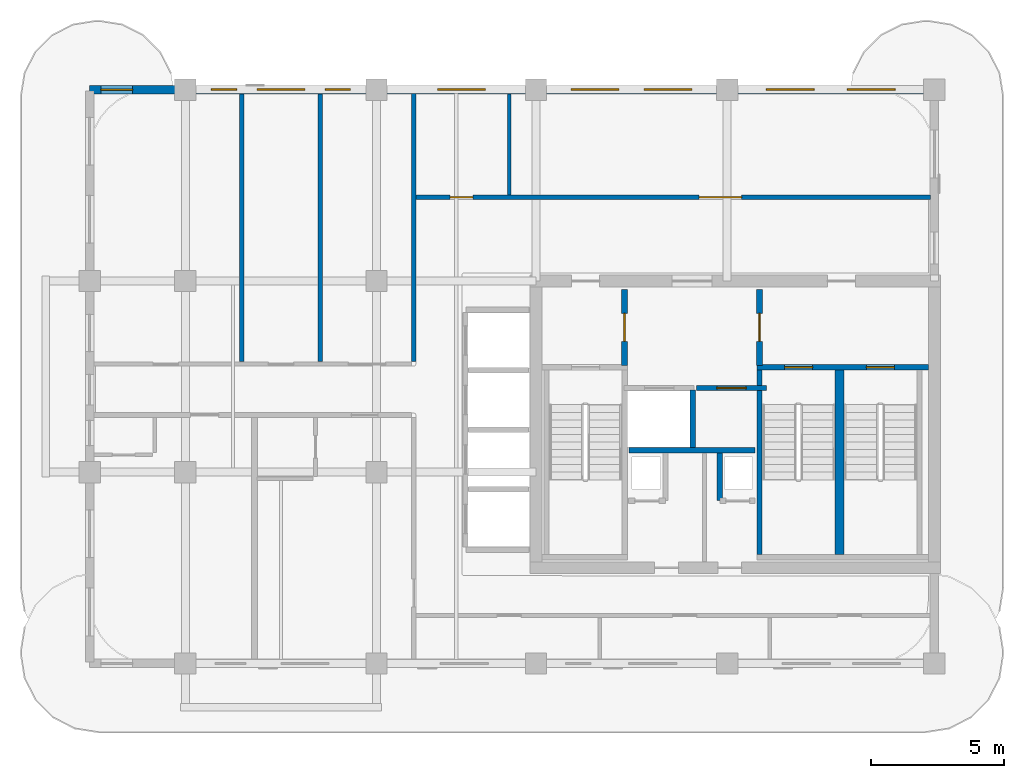
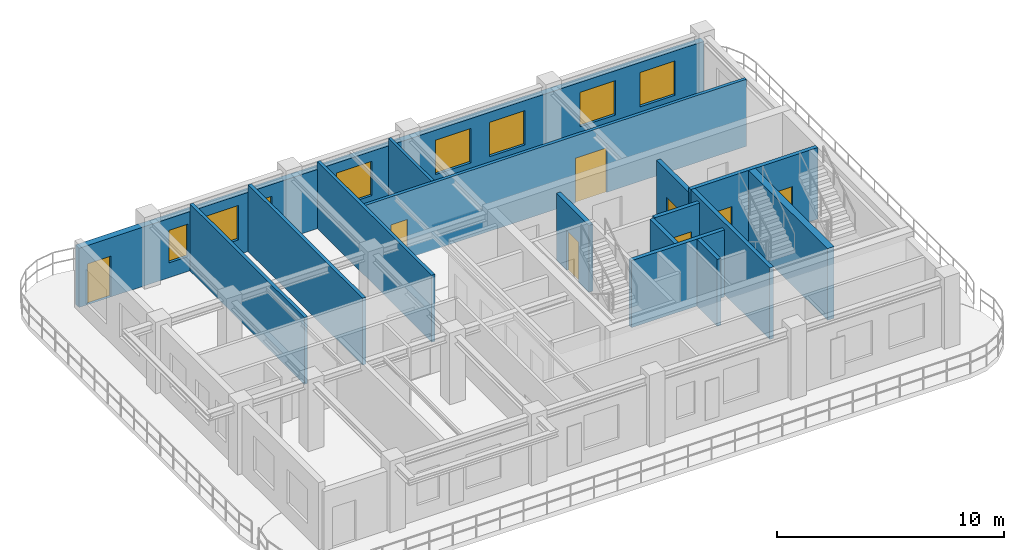
# One storey, part 4 of 7: 15 walls, 8 doors, 8 windows, 16 openings.
"""IFC4 building model written with IfcOpenShell, lengths in metres."""

import ifcopenshell
import ifcopenshell.guid

model = None  # the IFC model being written
_history = None  # IfcOwnerHistory: only IFC2X3 demands one
_inside = {}  # id of a spatial element -> (the spatial element, [elements in it])
_under = {}  # id of a project, library or spatial element -> (it, [spatial elements below it])
_declared = {}  # id of a project -> (the project, [libraries it declares])
_typed = {}  # id of a type object -> (the type object, [elements of that type])
_made_of = {}  # id of a material, layer set ... -> (it, [elements and type objects made of it])


def new_model(schema):
    """Start an empty IFC model of exactly this schema.

    Asked for "IFC4X3", IfcOpenShell would pick the latest addendum, in which some entities
    have other attributes; the version numbers below select the first issue.
    IFC2X3 requires an IfcOwnerHistory on every rooted entity: one is made here for all.
    """
    global model, _history
    if schema == "IFC4X3":
        model = ifcopenshell.file(schema_version=(4, 3, 0, 0))
    else:
        model = ifcopenshell.file(schema=schema)
    _inside.clear()
    _under.clear()
    _declared.clear()
    _typed.clear()
    _made_of.clear()
    _history = None
    if model.schema == "IFC2X3":
        org = make("IfcOrganization", Name="unknown")
        user = make(
            "IfcPersonAndOrganization",
            ThePerson=make("IfcPerson", FamilyName="unknown"),
            TheOrganization=org,
        )
        app = make(
            "IfcApplication",
            ApplicationDeveloper=org,
            Version="unknown",
            ApplicationFullName="unknown",
            ApplicationIdentifier="unknown",
        )
        _history = make(
            "IfcOwnerHistory",
            OwningUser=user,
            OwningApplication=app,
            ChangeAction="ADDED",
            CreationDate=0,
        )
    return model


def make(cls, **values):
    """One entity of the class cls with the attributes given. An attribute that is None is left unset."""
    return model.create_entity(
        cls, **{name: value for name, value in values.items() if value is not None}
    )


def rooted(cls, **values):
    """An entity with a GlobalId (a new one), such as an element, a storey or a relation."""
    return make(cls, GlobalId=ifcopenshell.guid.new(), OwnerHistory=_history, **values)


def si_unit(unit_type, name, prefix=None):
    """IfcSIUnit, for example si_unit("LENGTHUNIT", "METRE", prefix="MILLI")."""
    return make("IfcSIUnit", UnitType=unit_type, Prefix=prefix, Name=name)


def derived_unit(unit_type, elements):
    """IfcDerivedUnit: a product of units, each with its exponent."""
    return make(
        "IfcDerivedUnit",
        Elements=[
            make("IfcDerivedUnitElement", Unit=unit, Exponent=power)
            for unit, power in elements
        ],
        UnitType=unit_type,
    )


def assignment(units):
    """IfcUnitAssignment: the units of a project."""
    return None if units is None else make("IfcUnitAssignment", Units=units)


def point(xyz):
    """IfcCartesianPoint."""
    return None if xyz is None else make("IfcCartesianPoint", Coordinates=xyz)


def direction(xyz):
    """IfcDirection."""
    return None if xyz is None else make("IfcDirection", DirectionRatios=xyz)


def frame(location, z_axis=None, x_axis=None):
    """IfcAxis2Placement3D, a coordinate frame: its origin and axes. An axis left out is left unset."""
    return make(
        "IfcAxis2Placement3D",
        Location=point(location),
        Axis=direction(z_axis),
        RefDirection=direction(x_axis),
    )


def frame_2d(location, x_axis=None):
    """IfcAxis2Placement2D, a coordinate frame in the plane: its origin and x axis."""
    return make(
        "IfcAxis2Placement2D", Location=point(location), RefDirection=direction(x_axis)
    )


def origin():
    """The frame at (0, 0, 0) with its axes left unset."""
    return frame((0.0, 0.0, 0.0))


def place(relative_to, where):
    """IfcLocalPlacement: puts the frame where relative to a parent placement (None: the world)."""
    return make(
        "IfcLocalPlacement", PlacementRelTo=relative_to, RelativePlacement=where
    )


def context(
    kind, dimensions, precision=None, world=None, true_north=None, identifier=None
):
    """IfcGeometricRepresentationContext, for example the 3D "Model" context."""
    return make(
        "IfcGeometricRepresentationContext",
        ContextIdentifier=identifier,
        ContextType=kind,
        CoordinateSpaceDimension=dimensions,
        Precision=precision,
        WorldCoordinateSystem=world,
        TrueNorth=true_north,
    )


def subcontext(parent, identifier, kind, view, scale=None):
    """IfcGeometricRepresentationSubContext, for example "Body" below "Model"."""
    return make(
        "IfcGeometricRepresentationSubContext",
        ContextIdentifier=identifier,
        ContextType=kind,
        ParentContext=parent,
        TargetScale=scale,
        TargetView=view,
    )


def project(units=None, contexts=None):
    """IfcProject with its units and contexts."""
    return rooted(
        "IfcProject",
        Name="project",
        RepresentationContexts=contexts,
        UnitsInContext=assignment(units),
    )


def spatial(cls, under=None, at=None, **own):
    """A site, building, storey or space (cls), placed at a placement, below another one or the project."""
    s = rooted(cls, ObjectPlacement=at, **own)
    if under is not None:
        _under.setdefault(under.id(), (under, []))[1].append(s)
    return s


def profile(cls, at=None, kind="AREA", **sizes):
    """A parametric profile (cls). Its sizes go by their IFC names, for example OverallWidth=200.0."""
    return make(cls, ProfileType=kind, Position=at, **sizes)


def rectangle(**sizes):
    """IfcRectangleProfileDef."""
    return profile("IfcRectangleProfileDef", **sizes)


def extrude(swept, where, along, depth):
    """IfcExtrudedAreaSolid: the profile swept, set in the frame where, extruded along a direction by depth."""
    return make(
        "IfcExtrudedAreaSolid",
        SweptArea=swept,
        Position=where,
        ExtrudedDirection=direction(along),
        Depth=depth,
    )


def shape(context_of_items, identifier, shape_type, items):
    """IfcShapeRepresentation: the items that make up one representation, for example the "Body"."""
    return make(
        "IfcShapeRepresentation",
        ContextOfItems=context_of_items,
        RepresentationIdentifier=identifier,
        RepresentationType=shape_type,
        Items=items,
    )


def source(mapping_origin, context_of_items, identifier, shape_type, items):
    """IfcRepresentationMap: a shape defined once, which mapped items show again and again."""
    return make(
        "IfcRepresentationMap",
        MappingOrigin=mapping_origin,
        MappedRepresentation=shape(context_of_items, identifier, shape_type, items),
    )


def transform(
    local_origin,
    x_axis=None,
    y_axis=None,
    z_axis=None,
    scale=None,
    scale2=None,
    scale3=None,
    uniform=True,
):
    """IfcCartesianTransformationOperator3D, or its non-uniform kind. x_axis, y_axis, z_axis: its Axis1, 2, 3."""
    if uniform:
        return make(
            "IfcCartesianTransformationOperator3D",
            Axis1=direction(x_axis),
            Axis2=direction(y_axis),
            LocalOrigin=point(local_origin),
            Scale=scale,
            Axis3=direction(z_axis),
        )
    return make(
        "IfcCartesianTransformationOperator3DnonUniform",
        Axis1=direction(x_axis),
        Axis2=direction(y_axis),
        LocalOrigin=point(local_origin),
        Scale=scale,
        Axis3=direction(z_axis),
        Scale2=scale2,
        Scale3=scale3,
    )


def mapped(mapping_source, mapping_target):
    """IfcMappedItem: shows the shape of a source again, moved by a transform."""
    return make(
        "IfcMappedItem", MappingSource=mapping_source, MappingTarget=mapping_target
    )


def material(Name=None, Category=None):
    """IfcMaterial."""
    return make("IfcMaterial", Name=Name, Category=Category)


def layer(
    of_material, thickness, ventilated=None, Name=None, Category=None, Priority=None
):
    """IfcMaterialLayer: one layer of a wall or slab, of a material (None: an air gap)."""
    return make(
        "IfcMaterialLayer",
        Material=of_material,
        LayerThickness=thickness,
        IsVentilated=ventilated,
        Name=Name,
        Category=Category,
        Priority=Priority,
    )


def layer_set(layers, Name=None):
    """IfcMaterialLayerSet."""
    return make("IfcMaterialLayerSet", MaterialLayers=layers, LayerSetName=Name)


def made_of(thing, what):
    """Note that an element or type object is made of a material, layer set ...; save() writes the relation."""
    if what is not None:
        _made_of.setdefault(what.id(), (what, []))[1].append(thing)
    return thing


def type_object(cls, material=None, **own):
    """A type object (cls), such as IfcWallType, which elements share."""
    return made_of(rooted(cls, **own), material)


def type_shapes(of_type, sources):
    """Give a type object the sources (RepresentationMaps) that its elements show as mapped items."""
    of_type.RepresentationMaps = sources


def element(
    cls,
    number,
    at=None,
    inside=None,
    cuts=None,
    type_object=None,
    material=None,
    context=None,
    identifier="Body",
    shape_type=None,
    held_by="IfcProductDefinitionShape",
    body=None,
    shapes=None,
    **own,
):
    """One element of the class cls, such as IfcWall. Its Tag is "e" and its number.

    at: its placement. inside: the storey or other place that contains it. cuts: it is an
    opening in that element (IfcRelVoidsElement). A single representation is given by context,
    identifier, shape_type and body (its items); several are given by shapes. held_by: the class
    of the entity that holds the representations. save() writes the other relations.
    """
    e = rooted(cls, Tag="e%d" % number, ObjectPlacement=at, **own)
    if body is not None:
        shapes = [shape(context, identifier, shape_type, body)]
    if shapes is not None:
        e.Representation = make(held_by, Representations=shapes)
    if inside is not None:
        _inside.setdefault(inside.id(), (inside, []))[1].append(e)
    if cuts is not None:
        rooted(
            "IfcRelVoidsElement", RelatingBuildingElement=cuts, RelatedOpeningElement=e
        )
    if type_object is not None:
        _typed.setdefault(type_object.id(), (type_object, []))[1].append(e)
    return made_of(e, material)


def fill(opening, filler):
    """IfcRelFillsElement: the door or window that sits in an opening."""
    return rooted(
        "IfcRelFillsElement",
        RelatingOpeningElement=opening,
        RelatedBuildingElement=filler,
    )


def aggregate(whole, parts):
    """IfcRelAggregates: a whole, such as a stair, and the parts it consists of."""
    return rooted("IfcRelAggregates", RelatingObject=whole, RelatedObjects=parts)


def save(model, path):
    """Write the relations noted so far, then the file.

    IfcRelAggregates (storeys below a building ...), IfcRelContainedInSpatialStructure (elements
    in a storey), IfcRelDefinesByType, IfcRelAssociatesMaterial and IfcRelDeclares: one each for
    every whole, place, type object, material and project.
    """
    for whole, parts in _under.values():
        aggregate(whole, parts)
    for where, things in _inside.values():
        rooted(
            "IfcRelContainedInSpatialStructure",
            RelatedElements=things,
            RelatingStructure=where,
        )
    for kind, things in _typed.values():
        rooted("IfcRelDefinesByType", RelatedObjects=things, RelatingType=kind)
    for what, things in _made_of.values():
        rooted("IfcRelAssociatesMaterial", RelatedObjects=things, RelatingMaterial=what)
    for by, libraries in _declared.values():
        rooted("IfcRelDeclares", RelatingContext=by, RelatedDefinitions=libraries)
    model.write(path)


model = new_model("IFC4")

# Units and contexts
model_context = context("Model", 3, precision=1e-05, world=origin(), true_north=direction((0.0, 1.0)))
body_context = subcontext(model_context, "Body", "Model", "MODEL_VIEW")
ifc_project = project(units=[si_unit("LENGTHUNIT", "METRE"), si_unit("AREAUNIT", "SQUARE_METRE"), si_unit("VOLUMEUNIT", "CUBIC_METRE"), si_unit("PLANEANGLEUNIT", "RADIAN"), si_unit("MASSUNIT", "GRAM", prefix="KILO"), si_unit("THERMODYNAMICTEMPERATUREUNIT", "KELVIN"), si_unit("POWERUNIT", "WATT"), derived_unit("THERMALTRANSMITTANCEUNIT", [(si_unit("POWERUNIT", "WATT"), 1), (si_unit("AREAUNIT", "SQUARE_METRE"), -1), (si_unit("THERMODYNAMICTEMPERATUREUNIT", "KELVIN"), -1)])], contexts=[model_context])

# Site, building, storey
site_placement = place(None, origin())
site = spatial("IfcSite", under=ifc_project, at=site_placement, CompositionType="ELEMENT")
building_placement = place(site_placement, origin())
building = spatial("IfcBuilding", under=site, at=building_placement, Name="Zahravan Archway Hotel and Residences", CompositionType="ELEMENT")
storey_placement = place(building_placement, frame((0.0, 0.0, 271.199951171875)))
storey = spatial("IfcBuildingStorey", under=building, at=storey_placement, Name="L68", CompositionType="ELEMENT", Elevation=271.199951171875)

# Wall, openings, door, windows
ifc_material_1 = material(Name="Agra Buff Sandstone & Insulated Backup", Category="masonry")
ifc_layer_1 = layer(ifc_material_1, 0.320068359375, Name="Agra Buff Sandstone & Insulated Backup", Category="masonry")
ifc_layer_set_1 = layer_set([ifc_layer_1], Name="Agra Buff Sandstone & Insulated Backup")
wall_type_1 = type_object("IfcWallType", Name="EW-SAND-320", PredefinedType="SOLIDWALL", material=ifc_layer_set_1)
wall_1_placement = place(storey_placement, frame((18.0, 21.60009765625, 0.0), z_axis=(0.0, 0.0, 1.0), x_axis=(1.0, 0.0, 0.0)))
wall_1 = element("IfcWall", 1, at=wall_1_placement, inside=storey, type_object=wall_type_1, Name="L68 Exterior Sandstone Wall WA-N", PredefinedType="SOLIDWALL", context=body_context, shape_type="SweptSolid", body=[
    extrude(rectangle(XDim=31.800048828125, YDim=0.320068359375, at=frame_2d((15.89990234375, 0.0))), origin(), (0.0, 0.0, 1.0), 3.18505859375),
])
opening_1_placement = place(wall_1_placement, frame((0.419921875, 0.0, 0.0)))
opening_1 = element("IfcOpeningElement", 2, at=opening_1_placement, cuts=wall_1, Name="Opening ED-BL1", PredefinedType="OPENING", context=body_context, shape_type="SweptSolid", body=[
    extrude(rectangle(XDim=1.199951171875, YDim=2.199951171875, at=frame_2d((0.60009765625, 1.10009765625))), frame((0.0, 0.169921875, 0.0), z_axis=(0.0, -1.0, 0.0), x_axis=(1.0, 0.0, 0.0)), (0.0, 0.0, 1.0), 0.340087890625),
])
opening_2_placement = place(wall_1_placement, frame((4.5810546875, 0.0, 0.800048828125)))
opening_2 = element("IfcOpeningElement", 3, at=opening_2_placement, cuts=wall_1, Name="Opening W-04", PredefinedType="OPENING", context=body_context, shape_type="SweptSolid", body=[
    extrude(rectangle(XDim=0.949951171875, YDim=1.75, at=frame_2d((0.47509765625, 0.875))), frame((0.0, 0.169921875, 0.0), z_axis=(0.0, -1.0, 0.0), x_axis=(1.0, 0.0, 0.0)), (0.0, 0.0, 1.0), 0.340087890625),
])
opening_3_placement = place(wall_1_placement, frame((6.300048828125, 0.0, 0.800048828125)))
opening_3 = element("IfcOpeningElement", 4, at=opening_3_placement, cuts=wall_1, Name="Opening W-02", PredefinedType="OPENING", context=body_context, shape_type="SweptSolid", body=[
    extrude(rectangle(XDim=1.800048828125, YDim=1.85009765625, at=frame_2d((0.89990234375, 0.925048828125))), frame((0.0, 0.169921875, 0.0), z_axis=(0.0, -1.0, 0.0), x_axis=(1.0, 0.0, 0.0)), (0.0, 0.0, 1.0), 0.340087890625),
])
opening_4_placement = place(wall_1_placement, frame((8.868896484375, 0.0, 0.800048828125)))
opening_4 = element("IfcOpeningElement", 5, at=opening_4_placement, cuts=wall_1, Name="Opening W-04", PredefinedType="OPENING", context=body_context, shape_type="SweptSolid", body=[
    extrude(rectangle(XDim=0.949951171875, YDim=1.75, at=frame_2d((0.47509765625, 0.875))), frame((0.0, 0.169921875, 0.0), z_axis=(0.0, -1.0, 0.0), x_axis=(1.0, 0.0, 0.0)), (0.0, 0.0, 1.0), 0.340087890625),
])
opening_5_placement = place(wall_1_placement, frame((13.10107421875, 0.0, 0.800048828125)))
opening_5 = element("IfcOpeningElement", 6, at=opening_5_placement, cuts=wall_1, Name="Opening W-02", PredefinedType="OPENING", context=body_context, shape_type="SweptSolid", body=[
    extrude(rectangle(XDim=1.800048828125, YDim=1.85009765625, at=frame_2d((0.89990234375, 0.925048828125))), frame((0.0, 0.169921875, 0.0), z_axis=(0.0, -1.0, 0.0), x_axis=(1.0, 0.0, 0.0)), (0.0, 0.0, 1.0), 0.340087890625),
])
opening_6_placement = place(wall_1_placement, frame((18.125, 0.0, 0.800048828125)))
opening_6 = element("IfcOpeningElement", 7, at=opening_6_placement, cuts=wall_1, Name="Opening W-02", PredefinedType="OPENING", context=body_context, shape_type="SweptSolid", body=[
    extrude(rectangle(XDim=1.800048828125, YDim=1.85009765625, at=frame_2d((0.89990234375, 0.925048828125))), frame((0.0, 0.169921875, 0.0), z_axis=(0.0, -1.0, 0.0), x_axis=(1.0, 0.0, 0.0)), (0.0, 0.0, 1.0), 0.340087890625),
])
opening_7_placement = place(wall_1_placement, frame((20.875, 0.0, 0.800048828125)))
opening_7 = element("IfcOpeningElement", 8, at=opening_7_placement, cuts=wall_1, Name="Opening W-02", PredefinedType="OPENING", context=body_context, shape_type="SweptSolid", body=[
    extrude(rectangle(XDim=1.800048828125, YDim=1.85009765625, at=frame_2d((0.89990234375, 0.925048828125))), frame((0.0, 0.169921875, 0.0), z_axis=(0.0, -1.0, 0.0), x_axis=(1.0, 0.0, 0.0)), (0.0, 0.0, 1.0), 0.340087890625),
])
opening_8_placement = place(wall_1_placement, frame((25.47509765625, 0.0, 0.800048828125)))
opening_8 = element("IfcOpeningElement", 9, at=opening_8_placement, cuts=wall_1, Name="Opening W-02", PredefinedType="OPENING", context=body_context, shape_type="SweptSolid", body=[
    extrude(rectangle(XDim=1.800048828125, YDim=1.85009765625, at=frame_2d((0.89990234375, 0.925048828125))), frame((0.0, 0.169921875, 0.0), z_axis=(0.0, -1.0, 0.0), x_axis=(1.0, 0.0, 0.0)), (0.0, 0.0, 1.0), 0.340087890625),
])
opening_9_placement = place(wall_1_placement, frame((28.52490234375, 0.0, 0.800048828125)))
opening_9 = element("IfcOpeningElement", 10, at=opening_9_placement, cuts=wall_1, Name="Opening W-02", PredefinedType="OPENING", context=body_context, shape_type="SweptSolid", body=[
    extrude(rectangle(XDim=1.800048828125, YDim=1.85009765625, at=frame_2d((0.89990234375, 0.925048828125))), frame((0.0, 0.169921875, 0.0), z_axis=(0.0, -1.0, 0.0), x_axis=(1.0, 0.0, 0.0)), (0.0, 0.0, 1.0), 0.340087890625),
])
ifc_material_2 = material(Name="Bronze-Anodized Glazed Aluminium", Category="aluminium")
door_type_1 = type_object("IfcDoorType", Name="ED-BALC-1200", OperationType="SLIDING_TO_LEFT", PredefinedType="DOOR", material=ifc_material_2)
shared_shape_1 = source(origin(), body_context, "Body", "SweptSolid", [
    extrude(rectangle(XDim=1.199951171875, YDim=2.199951171875, at=frame_2d((0.60009765625, 1.10009765625))), frame((0.0, 0.02490234375, 0.0), z_axis=(0.0, -1.0, 0.0), x_axis=(1.0, 0.0, 0.0)), (0.0, 0.0, 1.0), 0.050048828125),
])
type_shapes(door_type_1, [shared_shape_1])
door_1_placement = place(opening_1_placement, origin())
door_1 = element("IfcDoor", 11, at=door_1_placement, inside=storey, type_object=door_type_1, Name="L68 Outdoor Access Sliding Door (SLB-BAL-L68-WA)", OperationType="SLIDING_TO_LEFT", OverallHeight=2.199951171875, OverallWidth=1.199951171875, PredefinedType="DOOR", context=body_context, shape_type="MappedRepresentation", body=[
    mapped(shared_shape_1, transform((0.0, 0.0, 0.0), scale=1.0)),
])
fill(opening_1, door_1)
ifc_material_3 = material(Name="Bronze-Anodized Thermal-Break Aluminium & Low-E Glass", Category="aluminium")
window_type_1 = type_object("IfcWindowType", Name="WIN-NAR-950", PartitioningType="SINGLE_PANEL", PredefinedType="WINDOW", material=ifc_material_3)
shared_shape_2 = source(origin(), body_context, "Body", "SweptSolid", [
    extrude(rectangle(XDim=0.949951171875, YDim=1.75, at=frame_2d((0.47509765625, 0.875))), frame((0.0, 0.030029296875, 0.0), z_axis=(0.0, -1.0, 0.0), x_axis=(1.0, 0.0, 0.0)), (0.0, 0.0, 1.0), 0.06005859375),
])
type_shapes(window_type_1, [shared_shape_2])
window_1_placement = place(opening_2_placement, origin())
window_1 = element("IfcWindow", 12, at=window_1_placement, inside=storey, type_object=window_type_1, Name="L68 Loggia Window 09", OverallHeight=1.75, OverallWidth=0.949951171875, PartitioningType="SINGLE_PANEL", PredefinedType="WINDOW", context=body_context, shape_type="MappedRepresentation", body=[
    mapped(shared_shape_2, transform((0.0, 0.0, 0.0), scale=1.0)),
])
fill(opening_2, window_1)
window_2_placement = place(opening_4_placement, origin())
window_2 = element("IfcWindow", 13, at=window_2_placement, inside=storey, type_object=window_type_1, Name="L68 Loggia Window 11", OverallHeight=1.75, OverallWidth=0.949951171875, PartitioningType="SINGLE_PANEL", PredefinedType="WINDOW", context=body_context, shape_type="MappedRepresentation", body=[
    mapped(shared_shape_2, transform((0.0, 0.0, 0.0), scale=1.0)),
])
fill(opening_4, window_2)
window_type_2 = type_object("IfcWindowType", Name="WIN-TWR-1800", PartitioningType="DOUBLE_PANEL_VERTICAL", PredefinedType="WINDOW", material=ifc_material_3)
shared_shape_3 = source(origin(), body_context, "Body", "SweptSolid", [
    extrude(rectangle(XDim=1.800048828125, YDim=1.85009765625, at=frame_2d((0.89990234375, 0.925048828125))), frame((0.0, 0.030029296875, 0.0), z_axis=(0.0, -1.0, 0.0), x_axis=(1.0, 0.0, 0.0)), (0.0, 0.0, 1.0), 0.06005859375),
])
type_shapes(window_type_2, [shared_shape_3])
window_3_placement = place(opening_3_placement, origin())
window_3 = element("IfcWindow", 14, at=window_3_placement, inside=storey, type_object=window_type_2, Name="L68 Loggia Window 10", OverallHeight=1.85009765625, OverallWidth=1.800048828125, PartitioningType="DOUBLE_PANEL_VERTICAL", PredefinedType="WINDOW", context=body_context, shape_type="MappedRepresentation", body=[
    mapped(shared_shape_3, transform((0.0, 0.0, 0.0), scale=1.0)),
])
fill(opening_3, window_3)
window_4_placement = place(opening_5_placement, origin())
window_4 = element("IfcWindow", 15, at=window_4_placement, inside=storey, type_object=window_type_2, Name="L68 Loggia Window 12", OverallHeight=1.85009765625, OverallWidth=1.800048828125, PartitioningType="DOUBLE_PANEL_VERTICAL", PredefinedType="WINDOW", context=body_context, shape_type="MappedRepresentation", body=[
    mapped(shared_shape_3, transform((0.0, 0.0, 0.0), scale=1.0)),
])
fill(opening_5, window_4)
window_5_placement = place(opening_6_placement, origin())
window_5 = element("IfcWindow", 16, at=window_5_placement, inside=storey, type_object=window_type_2, Name="L68 Loggia Window 13", OverallHeight=1.85009765625, OverallWidth=1.800048828125, PartitioningType="DOUBLE_PANEL_VERTICAL", PredefinedType="WINDOW", context=body_context, shape_type="MappedRepresentation", body=[
    mapped(shared_shape_3, transform((0.0, 0.0, 0.0), scale=1.0)),
])
fill(opening_6, window_5)
window_6_placement = place(opening_7_placement, origin())
window_6 = element("IfcWindow", 17, at=window_6_placement, inside=storey, type_object=window_type_2, Name="L68 Loggia Window 14", OverallHeight=1.85009765625, OverallWidth=1.800048828125, PartitioningType="DOUBLE_PANEL_VERTICAL", PredefinedType="WINDOW", context=body_context, shape_type="MappedRepresentation", body=[
    mapped(shared_shape_3, transform((0.0, 0.0, 0.0), scale=1.0)),
])
fill(opening_7, window_6)
window_7_placement = place(opening_8_placement, origin())
window_7 = element("IfcWindow", 18, at=window_7_placement, inside=storey, type_object=window_type_2, Name="L68 Loggia Window 15", OverallHeight=1.85009765625, OverallWidth=1.800048828125, PartitioningType="DOUBLE_PANEL_VERTICAL", PredefinedType="WINDOW", context=body_context, shape_type="MappedRepresentation", body=[
    mapped(shared_shape_3, transform((0.0, 0.0, 0.0), scale=1.0)),
])
fill(opening_8, window_7)
window_8_placement = place(opening_9_placement, origin())
window_8 = element("IfcWindow", 19, at=window_8_placement, inside=storey, type_object=window_type_2, Name="L68 Loggia Window 16", OverallHeight=1.85009765625, OverallWidth=1.800048828125, PartitioningType="DOUBLE_PANEL_VERTICAL", PredefinedType="WINDOW", context=body_context, shape_type="MappedRepresentation", body=[
    mapped(shared_shape_3, transform((0.0, 0.0, 0.0), scale=1.0)),
])
fill(opening_9, window_8)

# Wall, opening, door
ifc_material_4 = material(Name="Fire-Rated Gypsum & Concrete Block", Category="concrete")
ifc_layer_2 = layer(ifc_material_4, 0.219970703125, Name="Fire-Rated Gypsum & Concrete Block", Category="concrete")
ifc_layer_set_2 = layer_set([ifc_layer_2], Name="Fire-Rated Gypsum & Concrete Block")
wall_type_2 = type_object("IfcWallType", Name="PW-COMP-220", PredefinedType="PARTITIONING", material=ifc_layer_set_2)
wall_2_placement = place(storey_placement, frame((38.139892578125, 11.219970703125, 0.0), z_axis=(0.0, 0.0, 1.0), x_axis=(0.0, 1.0, 0.0)))
wall_2 = element("IfcWall", 20, at=wall_2_placement, inside=storey, type_object=wall_type_2, Name="L68 Partition CA-LOBW", PredefinedType="PARTITIONING", context=body_context, shape_type="SweptSolid", body=[
    extrude(rectangle(XDim=2.860107421875, YDim=0.219970703125, at=frame_2d((1.43017578125, 0.0))), origin(), (0.0, 0.0, 1.0), 3.60009765625),
])
opening_10_placement = place(wall_2_placement, frame((0.905029296875, 0.0, 0.0)))
opening_10 = element("IfcOpeningElement", 21, at=opening_10_placement, cuts=wall_2, Name="Opening FD-L2", PredefinedType="OPENING", context=body_context, shape_type="SweptSolid", body=[
    extrude(rectangle(XDim=1.050048828125, YDim=2.14990234375, at=frame_2d((0.52490234375, 1.074951171875))), frame((0.0, 0.1201171875, 0.0), z_axis=(0.0, -1.0, 0.0), x_axis=(1.0, 0.0, 0.0)), (0.0, 0.0, 1.0), 0.239990234375),
])
ifc_material_5 = material(Name="Fire-Rated Painted Steel", Category="steel")
door_type_2 = type_object("IfcDoorType", Name="FD-LOBBY-1100", OperationType="NOTDEFINED", PredefinedType="DOOR", material=ifc_material_5)
shared_shape_4 = source(origin(), body_context, "Body", "SweptSolid", [
    extrude(rectangle(XDim=1.050048828125, YDim=2.14990234375, at=frame_2d((0.52490234375, 1.074951171875))), frame((0.0, 0.02490234375, 0.0), z_axis=(0.0, -1.0, 0.0), x_axis=(1.0, 0.0, 0.0)), (0.0, 0.0, 1.0), 0.050048828125),
])
type_shapes(door_type_2, [shared_shape_4])
door_2_placement = place(opening_10_placement, origin())
door_2 = element("IfcDoor", 22, at=door_2_placement, inside=storey, type_object=door_type_2, Name="L68 Core A West Stair to FSAE Lobby Door", OperationType="SINGLE_SWING_LEFT", OverallHeight=2.14990234375, OverallWidth=1.050048828125, PredefinedType="DOOR", context=body_context, shape_type="MappedRepresentation", body=[
    mapped(shared_shape_4, transform((0.0, 0.0, 0.0), scale=1.0)),
])
fill(opening_10, door_2)

wall_3_placement = place(storey_placement, frame((43.219970703125, 11.219970703125, 0.0), z_axis=(0.0, 0.0, 1.0), x_axis=(0.0, 1.0, 0.0)))
wall_3 = element("IfcWall", 23, at=wall_3_placement, inside=storey, type_object=wall_type_2, Name="L68 Partition CA-LOBE", PredefinedType="PARTITIONING", context=body_context, shape_type="SweptSolid", body=[
    extrude(rectangle(XDim=2.860107421875, YDim=0.219970703125, at=frame_2d((1.43017578125, 0.0))), origin(), (0.0, 0.0, 1.0), 3.60009765625),
])
opening_11_placement = place(wall_3_placement, frame((0.905029296875, 0.0, 0.0)))
opening_11 = element("IfcOpeningElement", 24, at=opening_11_placement, cuts=wall_3, Name="Opening FD-L2", PredefinedType="OPENING", context=body_context, shape_type="SweptSolid", body=[
    extrude(rectangle(XDim=1.050048828125, YDim=2.14990234375, at=frame_2d((0.52490234375, 1.074951171875))), frame((0.0, 0.1201171875, 0.0), z_axis=(0.0, -1.0, 0.0), x_axis=(1.0, 0.0, 0.0)), (0.0, 0.0, 1.0), 0.239990234375),
])
door_3_placement = place(opening_11_placement, origin())
door_3 = element("IfcDoor", 25, at=door_3_placement, inside=storey, type_object=door_type_2, Name="L68 Core A East Stair to FSAE Lobby Door", OperationType="SINGLE_SWING_RIGHT", OverallHeight=2.14990234375, OverallWidth=1.050048828125, PredefinedType="DOOR", context=body_context, shape_type="MappedRepresentation", body=[
    mapped(shared_shape_4, transform((0.0, 0.0, 0.0), scale=1.0)),
])
fill(opening_11, door_3)

# Wall
ifc_layer_3 = layer(ifc_material_4, 0.159912109375, Name="Fire-Rated Gypsum & Concrete Block", Category="concrete")
ifc_layer_set_3 = layer_set([ifc_layer_3], Name="Fire-Rated Gypsum & Concrete Block")
wall_type_3 = type_object("IfcWallType", Name="PW-CORR-160", PredefinedType="PARTITIONING", material=ifc_layer_set_3)
wall_4_placement = place(storey_placement, frame((30.199951171875, 11.360107421875, 0.0), z_axis=(0.0, 0.0, 1.0), x_axis=(0.0, 1.0, 0.0)))
element("IfcWall", 26, at=wall_4_placement, inside=storey, type_object=wall_type_3, Name="L68 Partition WA-FW", PredefinedType="PARTITIONING", context=body_context, shape_type="SweptSolid", body=[
    extrude(rectangle(XDim=10.099853515625, YDim=0.159912109375, at=frame_2d((5.0498046875, 0.0))), origin(), (0.0, 0.0, 1.0), 3.60009765625),
])

# Wall, openings, doors
wall_5_placement = place(storey_placement, frame((30.2900390625, 17.550048828125, 0.0), z_axis=(0.0, 0.0, 1.0), x_axis=(1.0, 0.0, 0.0)))
wall_5 = element("IfcWall", 27, at=wall_5_placement, inside=storey, type_object=wall_type_3, Name="L68 Partition WA-FN", PredefinedType="PARTITIONING", context=body_context, shape_type="SweptSolid", body=[
    extrude(rectangle(XDim=19.369873046875, YDim=0.159912109375, at=frame_2d((9.68505859375, 0.0))), origin(), (0.0, 0.0, 1.0), 3.60009765625),
])
opening_12_placement = place(wall_5_placement, frame((1.284912109375, 0.0, 0.0)))
opening_12 = element("IfcOpeningElement", 28, at=opening_12_placement, cuts=wall_5, Name="Opening D-B1", PredefinedType="OPENING", context=body_context, shape_type="SweptSolid", body=[
    extrude(rectangle(XDim=0.85009765625, YDim=2.10009765625, at=frame_2d((0.425048828125, 1.050048828125))), frame((0.0, 0.08984375, 0.0), z_axis=(0.0, -1.0, 0.0), x_axis=(1.0, 0.0, 0.0)), (0.0, 0.0, 1.0), 0.179931640625),
])
opening_13_placement = place(wall_5_placement, frame((10.659912109375, 0.0, 0.0)))
opening_13 = element("IfcOpeningElement", 29, at=opening_13_placement, cuts=wall_5, Name="Opening D-P2", PredefinedType="OPENING", context=body_context, shape_type="SweptSolid", body=[
    extrude(rectangle(XDim=1.60009765625, YDim=2.39990234375, at=frame_2d((0.800048828125, 1.199951171875))), frame((0.0, 0.08984375, 0.0), z_axis=(0.0, -1.0, 0.0), x_axis=(1.0, 0.0, 0.0)), (0.0, 0.0, 1.0), 0.179931640625),
])
door_type_3 = type_object("IfcDoorType", Name="ID-PUBLIC-1600", OperationType="DOUBLE_DOOR_SINGLE_SWING", PredefinedType="DOOR", material=ifc_material_2)
shared_shape_5 = source(origin(), body_context, "Body", "SweptSolid", [
    extrude(rectangle(XDim=1.60009765625, YDim=2.39990234375, at=frame_2d((0.800048828125, 1.199951171875))), frame((0.0, 0.02490234375, 0.0), z_axis=(0.0, -1.0, 0.0), x_axis=(1.0, 0.0, 0.0)), (0.0, 0.0, 1.0), 0.050048828125),
])
type_shapes(door_type_3, [shared_shape_5])
door_4_placement = place(opening_13_placement, origin())
door_4 = element("IfcDoor", 30, at=door_4_placement, inside=storey, type_object=door_type_3, Name="L68 North Fitness Gym Door", OperationType="DOUBLE_DOOR_SINGLE_SWING", OverallHeight=2.39990234375, OverallWidth=1.60009765625, PredefinedType="DOOR", context=body_context, shape_type="MappedRepresentation", body=[
    mapped(shared_shape_5, transform((0.0, 0.0, 0.0), scale=1.0)),
])
fill(opening_13, door_4)
ifc_material_6 = material(Name="Hardwood Veneer Timber", Category="wood")
door_type_4 = type_object("IfcDoorType", Name="ID-BATH-850", OperationType="NOTDEFINED", PredefinedType="DOOR", material=ifc_material_6)
shared_shape_6 = source(origin(), body_context, "Body", "SweptSolid", [
    extrude(rectangle(XDim=0.85009765625, YDim=2.10009765625, at=frame_2d((0.425048828125, 1.050048828125))), frame((0.0, 0.02490234375, 0.0), z_axis=(0.0, -1.0, 0.0), x_axis=(1.0, 0.0, 0.0)), (0.0, 0.0, 1.0), 0.050048828125),
])
type_shapes(door_type_4, [shared_shape_6])
door_5_placement = place(opening_12_placement, origin())
door_5 = element("IfcDoor", 31, at=door_5_placement, inside=storey, type_object=door_type_4, Name="L68 Accessible Restroom Door", OperationType="SINGLE_SWING_LEFT", OverallHeight=2.10009765625, OverallWidth=0.85009765625, PredefinedType="DOOR", context=body_context, shape_type="MappedRepresentation", body=[
    mapped(shared_shape_6, transform((0.0, 0.0, 0.0), scale=1.0)),
])
fill(opening_12, door_5)

# Walls
ifc_layer_4 = layer(ifc_material_4, 0.199951171875, Name="Fire-Rated Gypsum & Concrete Block", Category="concrete")
ifc_layer_set_4 = layer_set([ifc_layer_4], Name="Fire-Rated Gypsum & Concrete Block")
wall_type_4 = type_object("IfcWallType", Name="PW-SHAFT-200", PredefinedType="PARTITIONING", material=ifc_layer_set_4)
wall_6_placement = place(storey_placement, frame((38.300048828125, 8.030029296875, 0.0), z_axis=(0.0, 0.0, 1.0), x_axis=(1.0, 0.0, 0.0)))
element("IfcWall", 32, at=wall_6_placement, inside=storey, type_object=wall_type_4, Name="L68 Partition CA-FLS", PredefinedType="PARTITIONING", context=body_context, shape_type="SweptSolid", body=[
    extrude(rectangle(XDim=4.739990234375, YDim=0.199951171875, at=frame_2d((2.3701171875, 0.0))), origin(), (0.0, 0.0, 1.0), 3.60009765625),
])
wall_7_placement = place(storey_placement, frame((40.699951171875, 8.1201171875, 0.0), z_axis=(0.0, 0.0, 1.0), x_axis=(0.0, 1.0, 0.0)))
element("IfcWall", 33, at=wall_7_placement, inside=storey, type_object=wall_type_4, Name="L68 Partition CA-FLM", PredefinedType="PARTITIONING", context=body_context, shape_type="SweptSolid", body=[
    extrude(rectangle(XDim=2.179931640625, YDim=0.199951171875, at=frame_2d((1.08984375, 0.0))), origin(), (0.0, 0.0, 1.0), 3.60009765625),
])
wall_8_placement = place(storey_placement, frame((41.719970703125, 6.1298828125, 0.0), z_axis=(0.0, 0.0, 1.0), x_axis=(0.0, 1.0, 0.0)))
element("IfcWall", 34, at=wall_8_placement, inside=storey, type_object=wall_type_4, Name="L68 Partition CA-MEPW", PredefinedType="PARTITIONING", context=body_context, shape_type="SweptSolid", body=[
    extrude(rectangle(XDim=1.7900390625, YDim=0.199951171875, at=frame_2d((0.89501953125, 0.0))), origin(), (0.0, 0.0, 1.0), 3.60009765625),
])

# Wall, opening, door
wall_9_placement = place(storey_placement, frame((40.840087890625, 10.3701171875, 0.0), z_axis=(0.0, 0.0, 1.0), x_axis=(1.0, 0.0, 0.0)))
wall_9 = element("IfcWall", 35, at=wall_9_placement, inside=storey, type_object=wall_type_4, Name="L68 Lift FL-2 Front Wall", PredefinedType="PARTITIONING", context=body_context, shape_type="SweptSolid", body=[
    extrude(rectangle(XDim=2.639892578125, YDim=0.199951171875, at=frame_2d((1.31982421875, 0.0))), origin(), (0.0, 0.0, 1.0), 3.60009765625),
])
opening_14_placement = place(wall_9_placement, frame((0.77001953125, 0.0, 0.0)))
opening_14 = element("IfcOpeningElement", 36, at=opening_14_placement, cuts=wall_9, Name="Opening LD", PredefinedType="OPENING", context=body_context, shape_type="SweptSolid", body=[
    extrude(rectangle(XDim=1.10009765625, YDim=2.199951171875, at=frame_2d((0.550048828125, 1.10009765625))), frame((0.0, 0.10986328125, 0.0), z_axis=(0.0, -1.0, 0.0), x_axis=(1.0, 0.0, 0.0)), (0.0, 0.0, 1.0), 0.219970703125),
])
ifc_material_7 = material(Name="Brushed Stainless Steel", Category="steel")
door_type_5 = type_object("IfcDoorType", Name="DR-LIFT-LD", OperationType="SLIDING_TO_LEFT", PredefinedType="DOOR", material=ifc_material_7)
shared_shape_7 = source(origin(), body_context, "Body", "SweptSolid", [
    extrude(rectangle(XDim=1.10009765625, YDim=2.199951171875, at=frame_2d((0.550048828125, 1.10009765625))), frame((0.0, 0.02490234375, 0.0), z_axis=(0.0, -1.0, 0.0), x_axis=(1.0, 0.0, 0.0)), (0.0, 0.0, 1.0), 0.050048828125),
])
type_shapes(door_type_5, [shared_shape_7])
door_6_placement = place(opening_14_placement, origin())
door_6 = element("IfcDoor", 37, at=door_6_placement, inside=storey, type_object=door_type_5, Name="L68 Lift FL-2 Sliding Landing Door", OperationType="SLIDING_TO_LEFT", OverallHeight=2.199951171875, OverallWidth=1.10009765625, PredefinedType="DOOR", context=body_context, shape_type="MappedRepresentation", body=[
    mapped(shared_shape_7, transform((0.0, 0.0, 0.0), scale=1.0)),
])
fill(opening_14, door_6)

# Walls
ifc_material_8 = material(Name="Acoustic Stud Partition")
ifc_layer_5 = layer(ifc_material_8, 0.169921875, Name="Acoustic Stud Partition")
ifc_layer_set_5 = layer_set([ifc_layer_5], Name="Acoustic Stud Partition")
wall_type_5 = type_object("IfcWallType", Name="PW-UNIT-170", PredefinedType="PARTITIONING", material=ifc_layer_set_5)
for number, where, z_axis, x_axis, name in (
    (38, (23.719970703125, 11.360107421875, 0.0), (0.0, 0.0, 1.0), (0.0, 1.0, 0.0), "L68 Partition WAN-SBK2A"),
    (39, (26.679931640625, 11.360107421875, 0.0), (0.0, 0.0, 1.0), (0.0, 1.0, 0.0), "L68 Partition WAN-SBK2B"),
):
    element("IfcWall", number, at=place(storey_placement, frame(where, z_axis=z_axis, x_axis=x_axis)), inside=storey, type_object=wall_type_5, Name=name, PredefinedType="PARTITIONING", context=body_context, shape_type="SweptSolid", body=[
        extrude(rectangle(XDim=10.07177734375, YDim=0.169921875, at=frame_2d((5.035888671875, 0.0))), origin(), (0.0, 0.0, 1.0), 3.60009765625),
    ])
ifc_material_9 = material(Name="Moisture-Resistant Blockwork", Category="masonry")
ifc_layer_6 = layer(ifc_material_9, 0.139892578125, Name="Moisture-Resistant Blockwork", Category="masonry")
ifc_layer_set_6 = layer_set([ifc_layer_6], Name="Moisture-Resistant Blockwork")
wall_type_6 = type_object("IfcWallType", Name="PW-WET-140", PredefinedType="PARTITIONING", material=ifc_layer_set_6)
wall_10_placement = place(storey_placement, frame((33.800048828125, 17.639892578125, 0.0), z_axis=(0.0, 0.0, 1.0), x_axis=(0.0, 1.0, 0.0)))
element("IfcWall", 40, at=wall_10_placement, inside=storey, type_object=wall_type_6, Name="L68 Partition NE1-1", PredefinedType="PARTITIONING", context=body_context, shape_type="SweptSolid", body=[
    extrude(rectangle(XDim=3.7919921875, YDim=0.139892578125, at=frame_2d((1.89599609375, 0.0))), origin(), (0.0, 0.0, 1.0), 3.60009765625),
])
ifc_material_10 = material(Name="Concrete C50/60", Category="concrete")
ifc_layer_7 = layer(ifc_material_10, 0.199951171875, Name="Concrete C50/60", Category="concrete")
ifc_layer_set_7 = layer_set([ifc_layer_7], Name="Concrete C50/60")
wall_type_7 = type_object("IfcWallType", Name="SW-STAIR-200", PredefinedType="SHEAR", material=ifc_layer_set_7)
wall_11_placement = place(storey_placement, frame((43.219970703125, 4.10009765625, 0.0), z_axis=(0.0, 0.0, 1.0), x_axis=(0.0, 1.0, 0.0)))
element("IfcWall", 41, at=wall_11_placement, inside=storey, type_object=wall_type_7, Name="L68 Stairwell RC Wall CA-SA2W", PredefinedType="SHEAR", context=body_context, shape_type="SweptSolid", body=[
    extrude(rectangle(XDim=6.949951171875, YDim=0.199951171875, at=frame_2d((3.47509765625, 0.0))), origin(), (0.0, 0.0, 1.0), 3.85009765625),
])

# Wall, openings, doors
wall_12_placement = place(storey_placement, frame((43.1201171875, 11.14990234375, 0.0), z_axis=(0.0, 0.0, 1.0), x_axis=(1.0, 0.0, 0.0)))
wall_12 = element("IfcWall", 42, at=wall_12_placement, inside=storey, type_object=wall_type_7, Name="L68 Stairwell RC Wall CA-SA23N", PredefinedType="SHEAR", context=body_context, shape_type="SweptSolid", body=[
    extrude(rectangle(XDim=6.454833984375, YDim=0.199951171875, at=frame_2d((3.2275390625, 0.0))), origin(), (0.0, 0.0, 1.0), 3.85009765625),
])
opening_15_placement = place(wall_12_placement, frame((1.044921875, 0.0, 0.0)))
opening_15 = element("IfcOpeningElement", 43, at=opening_15_placement, cuts=wall_12, Name="Opening FD-S1", PredefinedType="OPENING", context=body_context, shape_type="SweptSolid", body=[
    extrude(rectangle(XDim=1.050048828125, YDim=2.199951171875, at=frame_2d((0.52490234375, 1.10009765625))), frame((0.0, 0.10986328125, 0.0), z_axis=(0.0, -1.0, 0.0), x_axis=(1.0, 0.0, 0.0)), (0.0, 0.0, 1.0), 0.219970703125),
])
opening_16_placement = place(wall_12_placement, frame((4.125, 0.0, 0.0)))
opening_16 = element("IfcOpeningElement", 44, at=opening_16_placement, cuts=wall_12, Name="Opening FD-S1", PredefinedType="OPENING", context=body_context, shape_type="SweptSolid", body=[
    extrude(rectangle(XDim=1.050048828125, YDim=2.199951171875, at=frame_2d((0.52490234375, 1.10009765625))), frame((0.0, 0.10986328125, 0.0), z_axis=(0.0, -1.0, 0.0), x_axis=(1.0, 0.0, 0.0)), (0.0, 0.0, 1.0), 0.219970703125),
])
door_type_6 = type_object("IfcDoorType", Name="FD-STAIR-1100", OperationType="NOTDEFINED", PredefinedType="DOOR", material=ifc_material_5)
shared_shape_8 = source(origin(), body_context, "Body", "SweptSolid", [
    extrude(rectangle(XDim=1.050048828125, YDim=2.199951171875, at=frame_2d((0.52490234375, 1.10009765625))), frame((0.0, 0.02490234375, 0.0), z_axis=(0.0, -1.0, 0.0), x_axis=(1.0, 0.0, 0.0)), (0.0, 0.0, 1.0), 0.050048828125),
])
type_shapes(door_type_6, [shared_shape_8])
door_7_placement = place(opening_15_placement, origin())
door_7 = element("IfcDoor", 45, at=door_7_placement, inside=storey, type_object=door_type_6, Name="L68 Stair ST-A2 Door", OperationType="SINGLE_SWING_LEFT", OverallHeight=2.199951171875, OverallWidth=1.050048828125, PredefinedType="DOOR", context=body_context, shape_type="MappedRepresentation", body=[
    mapped(shared_shape_8, transform((0.0, 0.0, 0.0), scale=1.0)),
])
fill(opening_15, door_7)
door_8_placement = place(opening_16_placement, origin())
door_8 = element("IfcDoor", 46, at=door_8_placement, inside=storey, type_object=door_type_6, Name="L68 Stair ST-A3 Door", OperationType="SINGLE_SWING_RIGHT", OverallHeight=2.199951171875, OverallWidth=1.050048828125, PredefinedType="DOOR", context=body_context, shape_type="MappedRepresentation", body=[
    mapped(shared_shape_8, transform((0.0, 0.0, 0.0), scale=1.0)),
])
fill(opening_16, door_8)

# Wall
ifc_layer_8 = layer(ifc_material_10, 0.340087890625, Name="Concrete C50/60", Category="concrete")
ifc_layer_set_8 = layer_set([ifc_layer_8], Name="Concrete C50/60")
wall_type_8 = type_object("IfcWallType", Name="SW-STAIR-340", PredefinedType="SHEAR", material=ifc_layer_set_8)
wall_13_placement = place(storey_placement, frame((46.22998046875, 4.10009765625, 0.0), z_axis=(0.0, 0.0, 1.0), x_axis=(0.0, 1.0, 0.0)))
element("IfcWall", 47, at=wall_13_placement, inside=storey, type_object=wall_type_8, Name="L68 Stairwell RC Wall CA-SA23M", PredefinedType="SHEAR", context=body_context, shape_type="SweptSolid", body=[
    extrude(rectangle(XDim=6.949951171875, YDim=0.340087890625, at=frame_2d((3.47509765625, 0.0))), origin(), (0.0, 0.0, 1.0), 3.85009765625),
])

save(model, "model.ifc")
